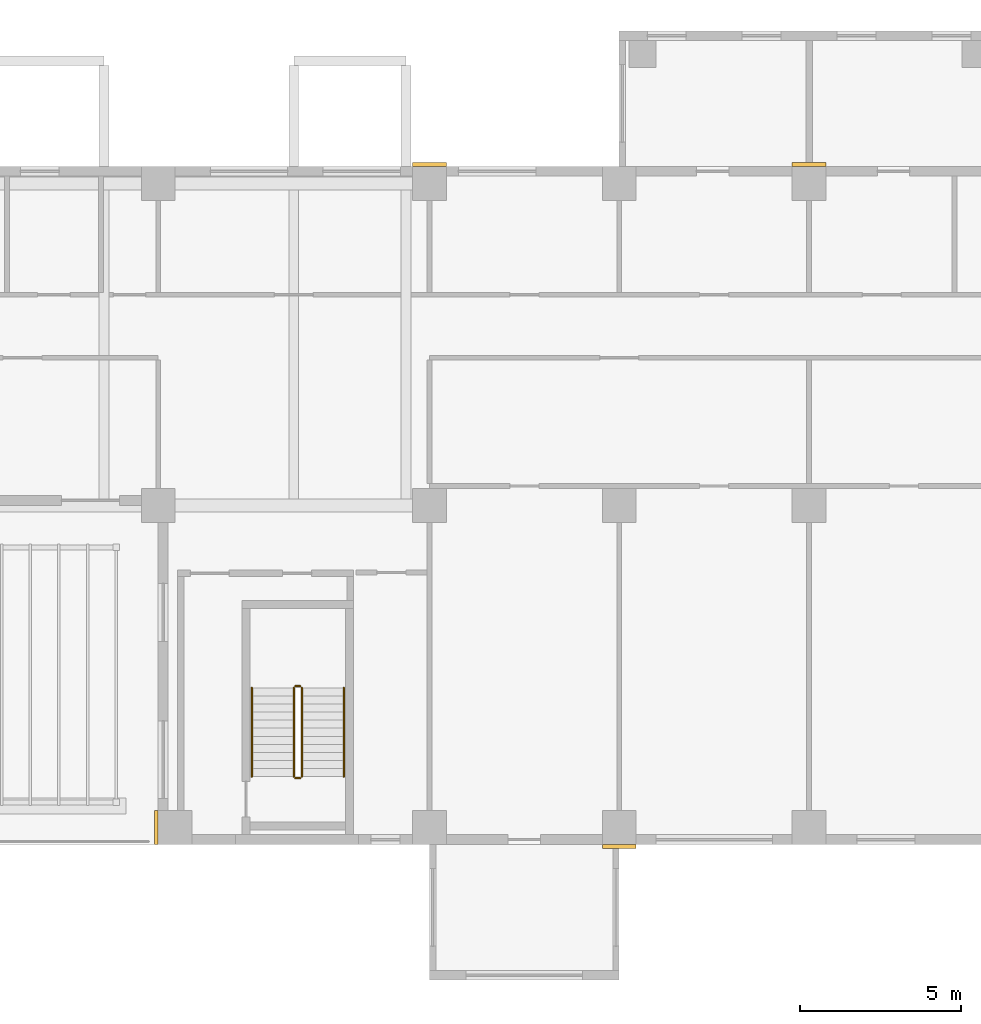
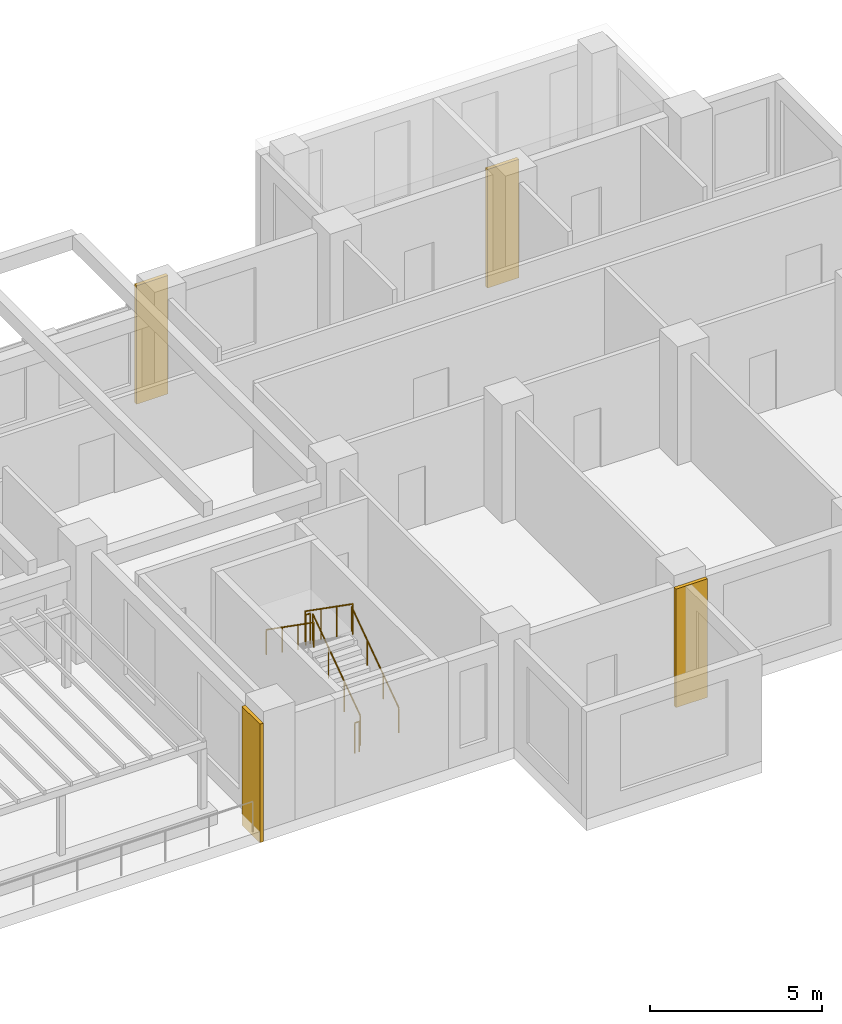
# One storey, part 13 of 15: 6 railings, 4 coverings.
"""IFC4 building model written with IfcOpenShell, lengths in metres."""

from ifc_helpers import new_model, si_unit, direction, frame, origin, origin_2d, place, context, subcontext, project, spatial, rectangle, circle, extrude, source, transform, mapped, material, type_object, element, save


model = new_model("IFC4")

# Units and contexts
model_context = context("Model", 3, precision=1e-05, world=origin(), true_north=direction((0.0, 1.0)))
body_context = subcontext(model_context, "Body", "Model", "MODEL_VIEW")
ifc_project = project(units=[si_unit("LENGTHUNIT", "METRE"), si_unit("AREAUNIT", "SQUARE_METRE"), si_unit("VOLUMEUNIT", "CUBIC_METRE"), si_unit("PLANEANGLEUNIT", "RADIAN"), si_unit("MASSUNIT", "GRAM", prefix="KILO")], contexts=[model_context])

# Site, building, storey
site_placement = place(None, origin())
site = spatial("IfcSite", under=ifc_project, at=site_placement, CompositionType="ELEMENT")
building_placement = place(site_placement, origin())
building = spatial("IfcBuilding", under=site, at=building_placement, Name="Aurelian Terraces", CompositionType="ELEMENT")
storey_placement = place(building_placement, frame((0.0, 0.0, 145.5)))
storey = spatial("IfcBuildingStorey", under=building, at=storey_placement, Name="L32", CompositionType="ELEMENT", Elevation=145.5)

# Coverings
ifc_material_1 = material(Name="Terracotta rainscreen cladding relief", Category="masonry")
covering_type = type_object("IfcCoveringType", Name="BAGUETTE-TC", PredefinedType="CLADDING", material=ifc_material_1)
shared_shape_1 = source(origin(), body_context, "Body", "SweptSolid", [
    extrude(rectangle(XDim=1.05, YDim=0.12, at=origin_2d()), origin(), (0.0, 0.0, 1.0), 4.2),
])
for number, where, z_axis, x_axis, name in (
    (1, (52.08, -0.06, -0.4), (0.0, 0.0, 1.0), (1.0, 0.0, 0.0), "BAGUETTE pier L32 3"),
    (2, (46.2, 21.06, -0.4), (0.0, 0.0, 1.0), (1.0, 0.0, 0.0), "BAGUETTE pier L32 6"),
    (3, (57.96, 21.06, -0.4), (0.0, 0.0, 1.0), (1.0, 0.0, 0.0), "BAGUETTE pier L32 7"),
):
    element("IfcCovering", number, at=place(storey_placement, frame(where, z_axis=z_axis, x_axis=x_axis)), inside=storey, type_object=covering_type, Name=name, PredefinedType="CLADDING", context=body_context, shape_type="MappedRepresentation", body=[
        mapped(shared_shape_1, transform((0.0, 0.0, 0.0), scale=1.0)),
    ])
shared_shape_2 = source(origin(), body_context, "Body", "SweptSolid", [
    extrude(rectangle(XDim=0.12, YDim=1.05, at=origin_2d()), origin(), (0.0, 0.0, 1.0), 4.2),
])
covering_placement = place(storey_placement, frame((37.74, 0.525, -0.4), z_axis=(0.0, 0.0, 1.0), x_axis=(1.0, 0.0, 0.0)))
element("IfcCovering", 4, at=covering_placement, inside=storey, type_object=covering_type, Name="BAGUETTE pier L32 2", PredefinedType="CLADDING", context=body_context, shape_type="MappedRepresentation", body=[
    mapped(shared_shape_2, transform((0.0, 0.0, 0.0), scale=1.0)),
])

# Railings
ifc_material_2 = material(Name="Stainless steel", Category="steel")
railing_type_1 = type_object("IfcRailingType", Name="Stair guard 1100", PredefinedType="GUARDRAIL", material=ifc_material_2)
shared_shape_3 = source(origin(), body_context, "Body", "SweptSolid", [
    extrude(circle(Radius=0.024, at=origin_2d()), frame((0.0, 0.0, 1.076), z_axis=(-1.0, 0.0, 0.0), x_axis=(0.0, -1.0, 0.0)), (0.0, 0.0, 1.0), 0.15),
    extrude(circle(Radius=0.021, at=origin_2d()), origin(), (0.0, 0.0, 1.0), 1.052),
    extrude(circle(Radius=0.021, at=origin_2d()), frame((-0.15, 0.0, 0.0)), (0.0, 0.0, 1.0), 1.052),
])
for number, where, name in (
    (5, (42.2, 4.9, 2.1), "L32 S2 stair guard 2"),
    (6, (42.2, 2.05, 0.0), "L32 S2 stair guard 4"),
):
    element("IfcRailing", number, at=place(storey_placement, frame(where)), inside=storey, type_object=railing_type_1, Name=name, PredefinedType="GUARDRAIL", context=body_context, shape_type="MappedRepresentation", body=[
        mapped(shared_shape_3, transform((0.0, 0.0, 0.0), scale=1.0)),
    ])
shared_shape_4 = source(origin(), body_context, "Body", "SweptSolid", [
    extrude(circle(Radius=0.024, at=origin_2d()), frame((0.0, 0.0, 1.076), z_axis=(0.0, 0.819231920519, 0.573462344363), x_axis=(-1.0, 0.0, 0.0)), (0.0, 0.0, 1.0), 3.3568),
    extrude(circle(Radius=0.021, at=origin_2d()), origin(), (0.0, 0.0, 1.0), 1.052),
    extrude(circle(Radius=0.021, at=origin_2d()), frame((0.0, 0.9167, 0.6417)), (0.0, 0.0, 1.0), 1.052),
    extrude(circle(Radius=0.021, at=origin_2d()), frame((0.0, 1.8333, 1.2833)), (0.0, 0.0, 1.0), 1.052),
    extrude(circle(Radius=0.021, at=origin_2d()), frame((0.0, 2.75, 1.925)), (0.0, 0.0, 1.0), 1.052),
])
railing_1_placement = place(storey_placement, frame((42.25, 2.1, 0.175)))
element("IfcRailing", 7, at=railing_1_placement, inside=storey, type_object=railing_type_1, Name="L32 S2 stair guard 1", PredefinedType="GUARDRAIL", context=body_context, shape_type="MappedRepresentation", body=[
    mapped(shared_shape_4, transform((0.0, 0.0, 0.0), scale=1.0)),
])
shared_shape_5 = source(origin(), body_context, "Body", "SweptSolid", [
    extrude(circle(Radius=0.024, at=origin_2d()), frame((0.0, 0.0, 1.076), z_axis=(0.0, -0.819231920519, 0.573462344363), x_axis=(1.0, 0.0, 0.0)), (0.0, 0.0, 1.0), 3.3568),
    extrude(circle(Radius=0.021, at=origin_2d()), origin(), (0.0, 0.0, 1.0), 1.052),
    extrude(circle(Radius=0.021, at=origin_2d()), frame((0.0, -0.9167, 0.6417)), (0.0, 0.0, 1.0), 1.052),
    extrude(circle(Radius=0.021, at=origin_2d()), frame((0.0, -1.8333, 1.2833)), (0.0, 0.0, 1.0), 1.052),
    extrude(circle(Radius=0.021, at=origin_2d()), frame((0.0, -2.75, 1.925)), (0.0, 0.0, 1.0), 1.052),
])
railing_2_placement = place(storey_placement, frame((42.0, 4.85, 2.275)))
element("IfcRailing", 8, at=railing_2_placement, inside=storey, type_object=railing_type_1, Name="L32 S2 stair guard 3", PredefinedType="GUARDRAIL", context=body_context, shape_type="MappedRepresentation", body=[
    mapped(shared_shape_5, transform((0.0, 0.0, 0.0), scale=1.0)),
])
railing_type_2 = type_object("IfcRailingType", Name="Stair handrail", PredefinedType="HANDRAIL", material=ifc_material_2)
shared_shape_6 = source(origin(), body_context, "Body", "SweptSolid", [
    extrude(circle(Radius=0.024, at=origin_2d()), frame((0.0, 0.0, 0.876), z_axis=(0.0, 0.819231920519, 0.573462344363), x_axis=(-1.0, 0.0, 0.0)), (0.0, 0.0, 1.0), 3.3568),
    extrude(circle(Radius=0.021, at=origin_2d()), origin(), (0.0, 0.0, 1.0), 0.852),
    extrude(circle(Radius=0.021, at=origin_2d()), frame((0.0, 0.9167, 0.6417)), (0.0, 0.0, 1.0), 0.852),
    extrude(circle(Radius=0.021, at=origin_2d()), frame((0.0, 1.8333, 1.2833)), (0.0, 0.0, 1.0), 0.852),
    extrude(circle(Radius=0.021, at=origin_2d()), frame((0.0, 2.75, 1.925)), (0.0, 0.0, 1.0), 0.852),
])
railing_3_placement = place(storey_placement, frame((43.55, 2.1, 0.175)))
element("IfcRailing", 9, at=railing_3_placement, inside=storey, type_object=railing_type_2, Name="L32 S2 stair handrail 1", PredefinedType="HANDRAIL", context=body_context, shape_type="MappedRepresentation", body=[
    mapped(shared_shape_6, transform((0.0, 0.0, 0.0), scale=1.0)),
])
shared_shape_7 = source(origin(), body_context, "Body", "SweptSolid", [
    extrude(circle(Radius=0.024, at=origin_2d()), frame((0.0, 0.0, 0.876), z_axis=(0.0, -0.819231920519, 0.573462344363), x_axis=(1.0, 0.0, 0.0)), (0.0, 0.0, 1.0), 3.3568),
    extrude(circle(Radius=0.021, at=origin_2d()), origin(), (0.0, 0.0, 1.0), 0.852),
    extrude(circle(Radius=0.021, at=origin_2d()), frame((0.0, -0.9167, 0.6417)), (0.0, 0.0, 1.0), 0.852),
    extrude(circle(Radius=0.021, at=origin_2d()), frame((0.0, -1.8333, 1.2833)), (0.0, 0.0, 1.0), 0.852),
    extrude(circle(Radius=0.021, at=origin_2d()), frame((0.0, -2.75, 1.925)), (0.0, 0.0, 1.0), 0.852),
])
railing_4_placement = place(storey_placement, frame((40.7, 4.85, 2.275)))
element("IfcRailing", 10, at=railing_4_placement, inside=storey, type_object=railing_type_2, Name="L32 S2 stair handrail 2", PredefinedType="HANDRAIL", context=body_context, shape_type="MappedRepresentation", body=[
    mapped(shared_shape_7, transform((0.0, 0.0, 0.0), scale=1.0)),
])

save(model, "model.ifc")
